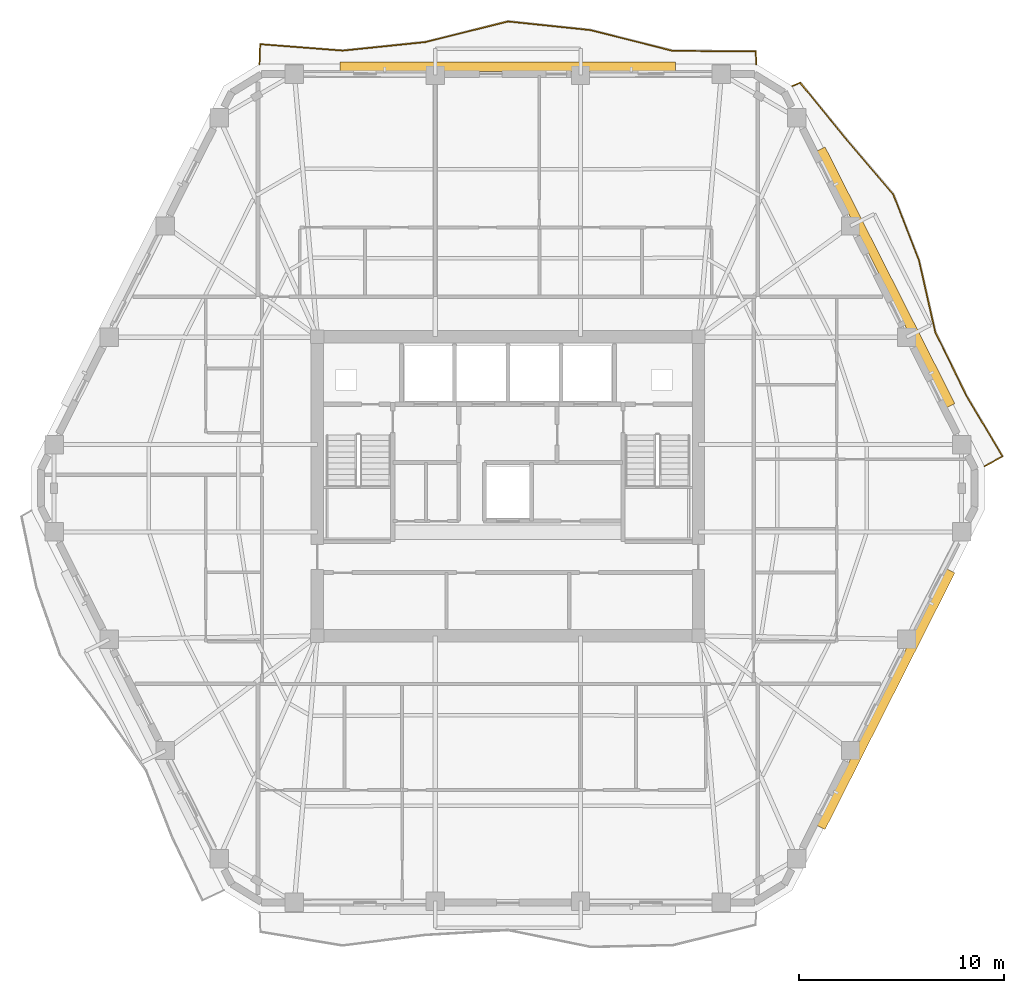
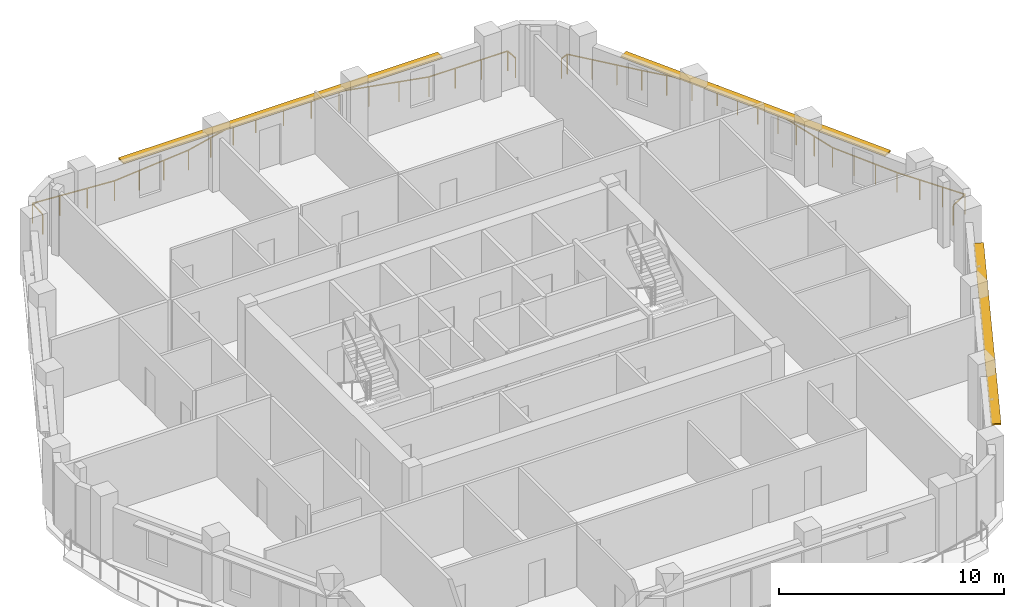
# One storey, part 11 of 11: 3 shading devices, 2 railings.
"""IFC4 building model written with IfcOpenShell, lengths in metres."""

from ifc_helpers import new_model, si_unit, direction, frame, origin, origin_2d, place, context, subcontext, project, spatial, rectangle, extrude, material, layer, layer_set, type_object, element, save


model = new_model("IFC4")

# Units and contexts
model_context = context("Model", 3, precision=1e-05, world=origin(), true_north=direction((0.0, 1.0)))
body_context = subcontext(model_context, "Body", "Model", "MODEL_VIEW")
ifc_project = project(units=[si_unit("LENGTHUNIT", "METRE"), si_unit("AREAUNIT", "SQUARE_METRE"), si_unit("VOLUMEUNIT", "CUBIC_METRE"), si_unit("PLANEANGLEUNIT", "RADIAN"), si_unit("MASSUNIT", "GRAM", prefix="KILO")], contexts=[model_context])

# Site, building, storey
site_placement = place(None, origin())
site = spatial("IfcSite", under=ifc_project, at=site_placement, CompositionType="ELEMENT")
building_placement = place(site_placement, origin())
building = spatial("IfcBuilding", under=site, at=building_placement, Name="Cinnabar Lancet Tower", CompositionType="ELEMENT")
storey_placement = place(building_placement, frame((0.0, 0.0, 196.75)))
storey = spatial("IfcBuildingStorey", under=building, at=storey_placement, Name="L52", CompositionType="ELEMENT", Elevation=196.75)

# Railings
ifc_material_1 = material(Name="Laminated safety glass and bronze stainless steel balustrade", Category="steel")
railing_type = type_object("IfcRailingType", Name="ENV-RLG-BAL-1100", PredefinedType="BALUSTRADE", material=ifc_material_1)
railing_1_placement = place(storey_placement, frame((55.657958984375, 26.87109375, 0.0)))
element("IfcRailing", 1, at=railing_1_placement, inside=storey, type_object=railing_type, Name="L52 Face 3 Wave Balcony Balustrade", PredefinedType="BALUSTRADE", context=body_context, shape_type="SweptSolid", body=[
    extrude(rectangle(XDim=0.048095703125, YDim=0.048095703125, at=origin_2d()), frame((0.0, 0.0, 1.076171875), z_axis=(0.879228403445, 0.476400477094, 0.0), x_axis=(-0.476400477094, 0.879228403445, 0.0)), (0.0, 0.0, 1.0), 1.00537109375),
    extrude(rectangle(XDim=0.048095703125, YDim=0.048095703125, at=origin_2d()), frame((0.884033203125, 0.47900390625, 1.076171875), z_axis=(-0.511497488339, 0.859284772019, 0.0), x_axis=(-0.859284772019, -0.511497488339, 0.0)), (0.0, 0.0, 1.0), 3.46435546875),
    extrude(rectangle(XDim=0.048095703125, YDim=0.048095703125, at=origin_2d()), frame((-0.887939453125, 3.455810546875, 1.076171875), z_axis=(-0.438860494925, 0.898555210321, 0.0), x_axis=(-0.898555210321, -0.438860494925, 0.0)), (0.0, 0.0, 1.0), 3.456787109375),
    extrude(rectangle(XDim=0.048095703125, YDim=0.048095703125, at=origin_2d()), frame((-2.405029296875, 6.56201171875, 1.076171875), z_axis=(-0.220912995441, 0.975293519124, 0.0), x_axis=(-0.975293519124, -0.220912995441, 0.0)), (0.0, 0.0, 1.0), 3.561767578125),
    extrude(rectangle(XDim=0.048095703125, YDim=0.048095703125, at=origin_2d()), frame((-3.19189453125, 10.035888671875, 1.076171875), z_axis=(-0.362246101107, 0.932082486818, 0.0), x_axis=(-0.932082486818, -0.362246101107, 0.0)), (0.0, 0.0, 1.0), 3.472900390625),
    extrude(rectangle(XDim=0.048095703125, YDim=0.048095703125, at=origin_2d()), frame((-4.449951171875, 13.27294921875, 1.076171875), z_axis=(-0.648946606083, 0.760833951959, 0.0), x_axis=(-0.760833951959, -0.648946606083, 0.0)), (0.0, 0.0, 1.0), 3.556640625),
    extrude(rectangle(XDim=0.048095703125, YDim=0.048095703125, at=origin_2d()), frame((-6.758056640625, 15.97900390625, 1.076171875), z_axis=(-0.632256471928, 0.774759158517, 0.0), x_axis=(-0.774759158517, -0.632256471928, 0.0)), (0.0, 0.0, 1.0), 3.537841796875),
    extrude(rectangle(XDim=0.048095703125, YDim=0.048095703125, at=origin_2d()), frame((-8.994873046875, 18.719970703125, 1.076171875), z_axis=(-0.924463901024, -0.381269584025, 0.0), x_axis=(0.381269584025, -0.924463901024, 0.0)), (0.0, 0.0, 1.0), 0.42529296875),
    extrude(rectangle(XDim=0.0419921875, YDim=0.0419921875, at=origin_2d()), origin(), (0.0, 0.0, 1.0), 1.052001953125),
    extrude(rectangle(XDim=0.0419921875, YDim=0.0419921875, at=origin_2d()), frame((0.884033203125, 0.47900390625, 0.0)), (0.0, 0.0, 1.0), 1.052001953125),
    extrude(rectangle(XDim=0.0419921875, YDim=0.0419921875, at=origin_2d()), frame((0.29345703125, 1.47119140625, 0.0)), (0.0, 0.0, 1.0), 1.052001953125),
    extrude(rectangle(XDim=0.0419921875, YDim=0.0419921875, at=origin_2d()), frame((-0.29736328125, 2.463623046875, 0.0)), (0.0, 0.0, 1.0), 1.052001953125),
    extrude(rectangle(XDim=0.0419921875, YDim=0.0419921875, at=origin_2d()), frame((-0.887939453125, 3.455810546875, 0.0)), (0.0, 0.0, 1.0), 1.052001953125),
    extrude(rectangle(XDim=0.0419921875, YDim=0.0419921875, at=origin_2d()), frame((-1.3935546875, 4.4912109375, 0.0)), (0.0, 0.0, 1.0), 1.052001953125),
    extrude(rectangle(XDim=0.0419921875, YDim=0.0419921875, at=origin_2d()), frame((-1.8994140625, 5.526611328125, 0.0)), (0.0, 0.0, 1.0), 1.052001953125),
    extrude(rectangle(XDim=0.0419921875, YDim=0.0419921875, at=origin_2d()), frame((-2.405029296875, 6.56201171875, 0.0)), (0.0, 0.0, 1.0), 1.052001953125),
    extrude(rectangle(XDim=0.0419921875, YDim=0.0419921875, at=origin_2d()), frame((-2.667236328125, 7.719970703125, 0.0)), (0.0, 0.0, 1.0), 1.052001953125),
    extrude(rectangle(XDim=0.0419921875, YDim=0.0419921875, at=origin_2d()), frame((-2.9296875, 8.8779296875, 0.0)), (0.0, 0.0, 1.0), 1.052001953125),
    extrude(rectangle(XDim=0.0419921875, YDim=0.0419921875, at=origin_2d()), frame((-3.19189453125, 10.035888671875, 0.0)), (0.0, 0.0, 1.0), 1.052001953125),
    extrude(rectangle(XDim=0.0419921875, YDim=0.0419921875, at=origin_2d()), frame((-3.611328125, 11.114990234375, 0.0)), (0.0, 0.0, 1.0), 1.052001953125),
    extrude(rectangle(XDim=0.0419921875, YDim=0.0419921875, at=origin_2d()), frame((-4.030517578125, 12.19384765625, 0.0)), (0.0, 0.0, 1.0), 1.052001953125),
    extrude(rectangle(XDim=0.0419921875, YDim=0.0419921875, at=origin_2d()), frame((-4.449951171875, 13.27294921875, 0.0)), (0.0, 0.0, 1.0), 1.052001953125),
    extrude(rectangle(XDim=0.0419921875, YDim=0.0419921875, at=origin_2d()), frame((-5.21923828125, 14.175048828125, 0.0)), (0.0, 0.0, 1.0), 1.052001953125),
    extrude(rectangle(XDim=0.0419921875, YDim=0.0419921875, at=origin_2d()), frame((-5.98876953125, 15.076904296875, 0.0)), (0.0, 0.0, 1.0), 1.052001953125),
    extrude(rectangle(XDim=0.0419921875, YDim=0.0419921875, at=origin_2d()), frame((-6.758056640625, 15.97900390625, 0.0)), (0.0, 0.0, 1.0), 1.052001953125),
    extrude(rectangle(XDim=0.0419921875, YDim=0.0419921875, at=origin_2d()), frame((-7.503662109375, 16.892578125, 0.0)), (0.0, 0.0, 1.0), 1.052001953125),
    extrude(rectangle(XDim=0.0419921875, YDim=0.0419921875, at=origin_2d()), frame((-8.249267578125, 17.806396484375, 0.0)), (0.0, 0.0, 1.0), 1.052001953125),
    extrude(rectangle(XDim=0.0419921875, YDim=0.0419921875, at=origin_2d()), frame((-8.994873046875, 18.719970703125, 0.0)), (0.0, 0.0, 1.0), 1.052001953125),
    extrude(rectangle(XDim=0.0419921875, YDim=0.0419921875, at=origin_2d()), frame((-9.387939453125, 18.557861328125, 0.0)), (0.0, 0.0, 1.0), 1.052001953125),
])
railing_2_placement = place(storey_placement, frame((44.528076171875, 46.5, 0.0)))
element("IfcRailing", 2, at=railing_2_placement, inside=storey, type_object=railing_type, Name="L52 Face 4 Wave Balcony Balustrade", PredefinedType="BALUSTRADE", context=body_context, shape_type="SweptSolid", body=[
    extrude(rectangle(XDim=0.048095703125, YDim=0.048095703125, at=origin_2d()), frame((0.0, 0.0, 1.076171875), z_axis=(-0.055619764519, 0.998452022781, 0.0), x_axis=(-0.998452022781, -0.055619764519, 0.0)), (0.0, 0.0, 1.0), 0.632080078125),
    extrude(rectangle(XDim=0.048095703125, YDim=0.048095703125, at=origin_2d()), frame((-0.03515625, 0.631103515625, 1.076171875), z_axis=(-0.999994853039, 0.003208410147, 0.0), x_axis=(-0.003208410147, -0.999994853039, 0.0)), (0.0, 0.0, 1.0), 4.032958984375),
    extrude(rectangle(XDim=0.048095703125, YDim=0.048095703125, at=origin_2d()), frame((-4.068115234375, 0.64404296875, 1.076171875), z_axis=(-0.969653211085, 0.244484458058, 0.0), x_axis=(-0.244484458058, -0.969653211085, 0.0)), (0.0, 0.0, 1.0), 4.155029296875),
    extrude(rectangle(XDim=0.048095703125, YDim=0.048095703125, at=origin_2d()), frame((-8.09716796875, 1.659912109375, 1.076171875), z_axis=(-0.994536763413, 0.104386906365, 0.0), x_axis=(-0.104386906365, -0.994536763413, 0.0)), (0.0, 0.0, 1.0), 4.05322265625),
    extrude(rectangle(XDim=0.048095703125, YDim=0.048095703125, at=origin_2d()), frame((-12.128173828125, 2.0830078125, 1.076171875), z_axis=(-0.970107917908, -0.242673912095, 0.0), x_axis=(0.242673912095, -0.970107917908, 0.0)), (0.0, 0.0, 1.0), 4.154052734375),
    extrude(rectangle(XDim=0.048095703125, YDim=0.048095703125, at=origin_2d()), frame((-16.157958984375, 1.074951171875, 1.076171875), z_axis=(-0.994738694118, -0.102444767674, 0.0), x_axis=(0.102444767674, -0.994738694118, 0.0)), (0.0, 0.0, 1.0), 4.05126953125),
    extrude(rectangle(XDim=0.048095703125, YDim=0.048095703125, at=origin_2d()), frame((-20.18798828125, 0.659912109375, 1.076171875), z_axis=(-0.997003871331, 0.077351668061, 0.0), x_axis=(-0.077351668061, -0.997003871331, 0.0)), (0.0, 0.0, 1.0), 4.04638671875),
    extrude(rectangle(XDim=0.048095703125, YDim=0.048095703125, at=origin_2d()), frame((-24.22216796875, 0.972900390625, 1.076171875), z_axis=(-0.034859603134, -0.999392219336, 0.0), x_axis=(0.999392219336, -0.034859603134, 0.0)), (0.0, 0.0, 1.0), 0.973388671875),
    extrude(rectangle(XDim=0.0419921875, YDim=0.0419921875, at=origin_2d()), origin(), (0.0, 0.0, 1.0), 1.052001953125),
    extrude(rectangle(XDim=0.0419921875, YDim=0.0419921875, at=origin_2d()), frame((-0.03515625, 0.631103515625, 0.0)), (0.0, 0.0, 1.0), 1.052001953125),
    extrude(rectangle(XDim=0.0419921875, YDim=0.0419921875, at=origin_2d()), frame((-1.37939453125, 0.635498046875, 0.0)), (0.0, 0.0, 1.0), 1.052001953125),
    extrude(rectangle(XDim=0.0419921875, YDim=0.0419921875, at=origin_2d()), frame((-2.723876953125, 0.6396484375, 0.0)), (0.0, 0.0, 1.0), 1.052001953125),
    extrude(rectangle(XDim=0.0419921875, YDim=0.0419921875, at=origin_2d()), frame((-4.068115234375, 0.64404296875, 0.0)), (0.0, 0.0, 1.0), 1.052001953125),
    extrude(rectangle(XDim=0.0419921875, YDim=0.0419921875, at=origin_2d()), frame((-5.4111328125, 0.982666015625, 0.0)), (0.0, 0.0, 1.0), 1.052001953125),
    extrude(rectangle(XDim=0.0419921875, YDim=0.0419921875, at=origin_2d()), frame((-6.754150390625, 1.3212890625, 0.0)), (0.0, 0.0, 1.0), 1.052001953125),
    extrude(rectangle(XDim=0.0419921875, YDim=0.0419921875, at=origin_2d()), frame((-8.09716796875, 1.659912109375, 0.0)), (0.0, 0.0, 1.0), 1.052001953125),
    extrude(rectangle(XDim=0.0419921875, YDim=0.0419921875, at=origin_2d()), frame((-9.44091796875, 1.801025390625, 0.0)), (0.0, 0.0, 1.0), 1.052001953125),
    extrude(rectangle(XDim=0.0419921875, YDim=0.0419921875, at=origin_2d()), frame((-10.784423828125, 1.94189453125, 0.0)), (0.0, 0.0, 1.0), 1.052001953125),
    extrude(rectangle(XDim=0.0419921875, YDim=0.0419921875, at=origin_2d()), frame((-12.128173828125, 2.0830078125, 0.0)), (0.0, 0.0, 1.0), 1.052001953125),
    extrude(rectangle(XDim=0.0419921875, YDim=0.0419921875, at=origin_2d()), frame((-13.471435546875, 1.7470703125, 0.0)), (0.0, 0.0, 1.0), 1.052001953125),
    extrude(rectangle(XDim=0.0419921875, YDim=0.0419921875, at=origin_2d()), frame((-14.814697265625, 1.410888671875, 0.0)), (0.0, 0.0, 1.0), 1.052001953125),
    extrude(rectangle(XDim=0.0419921875, YDim=0.0419921875, at=origin_2d()), frame((-16.157958984375, 1.074951171875, 0.0)), (0.0, 0.0, 1.0), 1.052001953125),
    extrude(rectangle(XDim=0.0419921875, YDim=0.0419921875, at=origin_2d()), frame((-17.501220703125, 0.9365234375, 0.0)), (0.0, 0.0, 1.0), 1.052001953125),
    extrude(rectangle(XDim=0.0419921875, YDim=0.0419921875, at=origin_2d()), frame((-18.8447265625, 0.79833984375, 0.0)), (0.0, 0.0, 1.0), 1.052001953125),
    extrude(rectangle(XDim=0.0419921875, YDim=0.0419921875, at=origin_2d()), frame((-20.18798828125, 0.659912109375, 0.0)), (0.0, 0.0, 1.0), 1.052001953125),
    extrude(rectangle(XDim=0.0419921875, YDim=0.0419921875, at=origin_2d()), frame((-21.53271484375, 0.76416015625, 0.0)), (0.0, 0.0, 1.0), 1.052001953125),
    extrude(rectangle(XDim=0.0419921875, YDim=0.0419921875, at=origin_2d()), frame((-22.87744140625, 0.86865234375, 0.0)), (0.0, 0.0, 1.0), 1.052001953125),
    extrude(rectangle(XDim=0.0419921875, YDim=0.0419921875, at=origin_2d()), frame((-24.22216796875, 0.972900390625, 0.0)), (0.0, 0.0, 1.0), 1.052001953125),
    extrude(rectangle(XDim=0.0419921875, YDim=0.0419921875, at=origin_2d()), frame((-24.256103515625, 0.0, 0.0)), (0.0, 0.0, 1.0), 1.052001953125),
])

# Shading devices
ifc_material_2 = material(Name="Pale limestone architectural aluminium sunshade", Category="masonry")
ifc_layer = layer(ifc_material_2, 0.080078125)
ifc_layer_set = layer_set([ifc_layer], Name="Pale limestone architectural aluminium sunshade")
shading_device_type = type_object("IfcShadingDeviceType", Name="ENV-SHD-LVR-450", PredefinedType="JALOUSIE", material=ifc_layer_set)
for number, where, z_axis, x_axis, name in (
    (3, (50.845947265625, 15.506103515625, 2.639892578125), (0.0, 0.0, 1.0), (0.45140713236, 0.892318105193, 0.0), "L52 Face 2 Horizontal Sunshade Canopy"),
    (4, (50.845947265625, 36.093994140625, 2.639892578125), (0.0, 0.0, 1.0), (-0.45140713236, 0.892318105193, 0.0), "L52 Face 3 Horizontal Sunshade Canopy"),
):
    element("IfcShadingDevice", number, at=place(storey_placement, frame(where, z_axis=z_axis, x_axis=x_axis)), inside=storey, type_object=shading_device_type, Name=name, PredefinedType="JALOUSIE", context=body_context, shape_type="SweptSolid", body=[
        extrude(rectangle(XDim=14.034912109375, YDim=0.449951171875, at=origin_2d()), origin(), (0.0, 0.0, 1.0), 0.080078125),
    ])
shading_device_placement = place(storey_placement, frame((32.39990234375, 46.3701171875, 2.639892578125), z_axis=(0.0, 0.0, 1.0), x_axis=(-1.0, 0.0, 0.0)))
element("IfcShadingDevice", 5, at=shading_device_placement, inside=storey, type_object=shading_device_type, Name="L52 Face 4 Horizontal Sunshade Canopy", PredefinedType="JALOUSIE", context=body_context, shape_type="SweptSolid", body=[
    extrude(rectangle(XDim=16.3720703125, YDim=0.449951171875, at=origin_2d()), origin(), (0.0, 0.0, 1.0), 0.080078125),
])

save(model, "model.ifc")
